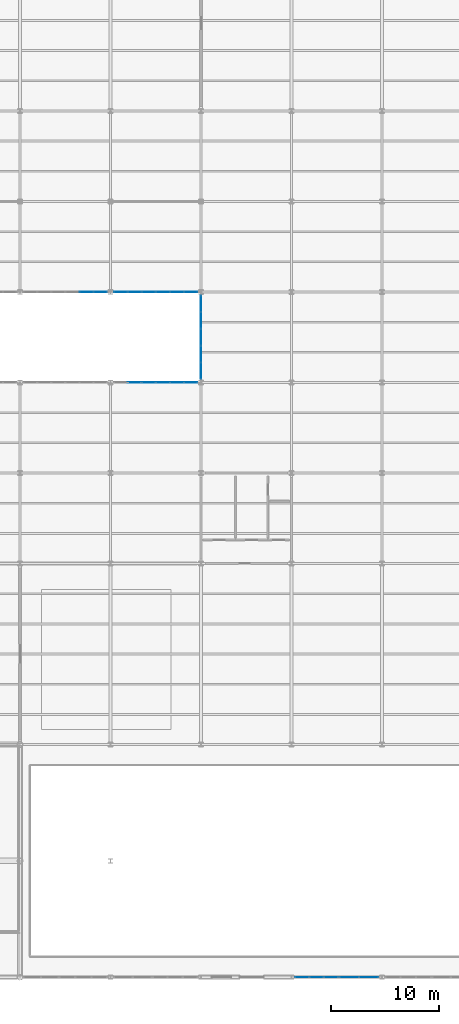
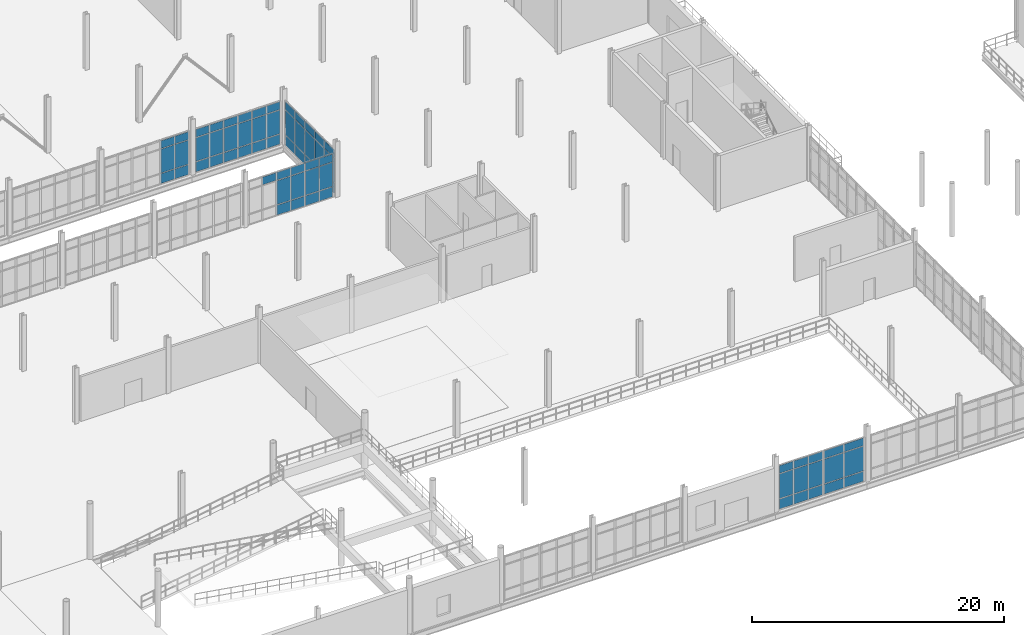
# One storey, part 80 of 111: 67 plates, 6 elements without a shape of their own.
"""IFC4 building model written with IfcOpenShell, lengths in metres."""

from ifc_helpers import new_model, si_unit, direction, frame, origin, origin_2d, place, context, subcontext, project, spatial, rectangle, extrude, material, layer, layer_set, type_object, element, aggregate, save


model = new_model("IFC4")

# Units and contexts
model_context = context("Model", 3, precision=1e-05, world=origin(), true_north=direction((0.0, 1.0)))
body_context = subcontext(model_context, "Body", "Model", "MODEL_VIEW")
ifc_project = project(units=[si_unit("LENGTHUNIT", "METRE"), si_unit("AREAUNIT", "SQUARE_METRE"), si_unit("VOLUMEUNIT", "CUBIC_METRE"), si_unit("PLANEANGLEUNIT", "RADIAN"), si_unit("MASSUNIT", "GRAM", prefix="KILO"), si_unit("THERMODYNAMICTEMPERATUREUNIT", "KELVIN"), si_unit("POWERUNIT", "WATT")], contexts=[model_context])

# Site, building, storey
site_placement = place(None, origin())
site = spatial("IfcSite", under=ifc_project, at=site_placement, CompositionType="ELEMENT")
building_placement = place(site_placement, origin())
building = spatial("IfcBuilding", under=site, at=building_placement, Name="Tembeka Court Mobility Hub", CompositionType="ELEMENT")
storey_placement = place(building_placement, origin())
storey = spatial("IfcBuildingStorey", under=building, at=storey_placement, Name="L00", CompositionType="ELEMENT", Elevation=0.0)

# Curtain wall, plates
ifc_material_1 = material(Name="Anodised aluminium 6063-T6", Category="aluminium")
ifc_layer_1 = layer(ifc_material_1, 0.159912109375)
ifc_layer_set_1 = layer_set([ifc_layer_1], Name="Anodised aluminium 6063-T6")
curtain_wall_type_1 = type_object("IfcCurtainWallType", Name="CW-SYS06", PredefinedType="USERDEFINED", material=ifc_layer_set_1)
curtain_wall_1_placement = place(storey_placement, origin())
curtain_wall_1 = element("IfcCurtainWall", 1, at=curtain_wall_1_placement, inside=storey, type_object=curtain_wall_type_1, Name="Unitised curtain wall CW06 (CW-L00-006)", ObjectType="UNITISED GLAZING", PredefinedType="USERDEFINED")
ifc_material_2 = material(Name="Laminated solar-control low-E glass", Category="glass")
ifc_layer_2 = layer(ifc_material_2, 0.028076171875)
ifc_layer_set_2 = layer_set([ifc_layer_2], Name="Laminated solar-control low-E glass")
plate_type_1 = type_object("IfcPlateType", Name="PL-CW01", PredefinedType="CURTAIN_PANEL", material=ifc_layer_set_2)
plate_1_placement = place(storey_placement, frame((68.17431640625, 0.0, 0.06494140625), z_axis=(0.0, 0.0, 1.0), x_axis=(1.0, 0.0, 0.0)))
plate_1 = element("IfcPlate", 2, at=plate_1_placement, type_object=plate_type_1, Name="CW06 panel 1.1", PredefinedType="CURTAIN_PANEL", context=body_context, shape_type="SweptSolid", body=[
    extrude(rectangle(XDim=1.258544921875, YDim=0.028076171875, at=origin_2d()), origin(), (0.0, 0.0, 1.0), 0.952392578125),
])
plate_2_placement = place(storey_placement, frame((68.17431640625, 0.0, 1.08251953125), z_axis=(0.0, 0.0, 1.0), x_axis=(1.0, 0.0, 0.0)))
plate_2 = element("IfcPlate", 3, at=plate_2_placement, type_object=plate_type_1, Name="CW06 panel 1.2", PredefinedType="CURTAIN_PANEL", context=body_context, shape_type="SweptSolid", body=[
    extrude(rectangle(XDim=1.258544921875, YDim=0.028076171875, at=origin_2d()), origin(), (0.0, 0.0, 1.0), 2.3701171875),
])
plate_3_placement = place(storey_placement, frame((68.17431640625, 0.0, 3.517578125), z_axis=(0.0, 0.0, 1.0), x_axis=(1.0, 0.0, 0.0)))
plate_3 = element("IfcPlate", 4, at=plate_3_placement, type_object=plate_type_1, Name="CW06 panel 1.3", PredefinedType="CURTAIN_PANEL", context=body_context, shape_type="SweptSolid", body=[
    extrude(rectangle(XDim=1.258544921875, YDim=0.028076171875, at=origin_2d()), origin(), (0.0, 0.0, 1.0), 0.75244140625),
])
plate_4_placement = place(storey_placement, frame((69.513916015625, 0.0, 0.06494140625), z_axis=(0.0, 0.0, 1.0), x_axis=(1.0, 0.0, 0.0)))
plate_4 = element("IfcPlate", 5, at=plate_4_placement, type_object=plate_type_1, Name="CW06 panel 2.1", PredefinedType="CURTAIN_PANEL", context=body_context, shape_type="SweptSolid", body=[
    extrude(rectangle(XDim=1.291015625, YDim=0.028076171875, at=origin_2d()), origin(), (0.0, 0.0, 1.0), 0.952392578125),
])
plate_5_placement = place(storey_placement, frame((69.513916015625, 0.0, 1.08251953125), z_axis=(0.0, 0.0, 1.0), x_axis=(1.0, 0.0, 0.0)))
plate_5 = element("IfcPlate", 6, at=plate_5_placement, type_object=plate_type_1, Name="CW06 panel 2.2", PredefinedType="CURTAIN_PANEL", context=body_context, shape_type="SweptSolid", body=[
    extrude(rectangle(XDim=1.291015625, YDim=0.028076171875, at=origin_2d()), origin(), (0.0, 0.0, 1.0), 2.3701171875),
])
plate_6_placement = place(storey_placement, frame((69.513916015625, 0.0, 3.517578125), z_axis=(0.0, 0.0, 1.0), x_axis=(1.0, 0.0, 0.0)))
plate_6 = element("IfcPlate", 7, at=plate_6_placement, type_object=plate_type_1, Name="CW06 panel 2.3", PredefinedType="CURTAIN_PANEL", context=body_context, shape_type="SweptSolid", body=[
    extrude(rectangle(XDim=1.291015625, YDim=0.028076171875, at=origin_2d()), origin(), (0.0, 0.0, 1.0), 0.75244140625),
])
plate_7_placement = place(storey_placement, frame((70.853759765625, 0.0, 0.06494140625), z_axis=(0.0, 0.0, 1.0), x_axis=(1.0, 0.0, 0.0)))
plate_7 = element("IfcPlate", 8, at=plate_7_placement, type_object=plate_type_1, Name="CW06 panel 3.1", PredefinedType="CURTAIN_PANEL", context=body_context, shape_type="SweptSolid", body=[
    extrude(rectangle(XDim=1.258544921875, YDim=0.028076171875, at=origin_2d()), origin(), (0.0, 0.0, 1.0), 0.952392578125),
])
plate_8_placement = place(storey_placement, frame((70.853759765625, 0.0, 1.08251953125), z_axis=(0.0, 0.0, 1.0), x_axis=(1.0, 0.0, 0.0)))
plate_8 = element("IfcPlate", 9, at=plate_8_placement, type_object=plate_type_1, Name="CW06 panel 3.2", PredefinedType="CURTAIN_PANEL", context=body_context, shape_type="SweptSolid", body=[
    extrude(rectangle(XDim=1.258544921875, YDim=0.028076171875, at=origin_2d()), origin(), (0.0, 0.0, 1.0), 2.3701171875),
])
plate_9_placement = place(storey_placement, frame((70.853759765625, 0.0, 3.517578125), z_axis=(0.0, 0.0, 1.0), x_axis=(1.0, 0.0, 0.0)))
plate_9 = element("IfcPlate", 10, at=plate_9_placement, type_object=plate_type_1, Name="CW06 panel 3.3", PredefinedType="CURTAIN_PANEL", context=body_context, shape_type="SweptSolid", body=[
    extrude(rectangle(XDim=1.258544921875, YDim=0.028076171875, at=origin_2d()), origin(), (0.0, 0.0, 1.0), 0.75244140625),
])
aggregate(curtain_wall_1, [plate_1, plate_2, plate_3, plate_4, plate_5, plate_6, plate_7, plate_8, plate_9])

ifc_layer_3 = layer(ifc_material_1, 0.159912109375)
ifc_layer_set_3 = layer_set([ifc_layer_3], Name="Anodised aluminium 6063-T6")
curtain_wall_type_2 = type_object("IfcCurtainWallType", Name="CW-SYS07", PredefinedType="USERDEFINED", material=ifc_layer_set_3)
curtain_wall_2_placement = place(storey_placement, origin())
curtain_wall_2 = element("IfcCurtainWall", 11, at=curtain_wall_2_placement, inside=storey, type_object=curtain_wall_type_2, Name="Unitised curtain wall CW07 (CW-L00-007)", ObjectType="UNITISED GLAZING", PredefinedType="USERDEFINED")
plate_10_placement = place(storey_placement, frame((72.537353515625, 0.0, 0.06494140625), z_axis=(0.0, 0.0, 1.0), x_axis=(1.0, 0.0, 0.0)))
plate_10 = element("IfcPlate", 12, at=plate_10_placement, type_object=plate_type_1, Name="CW07 panel 1.1", PredefinedType="CURTAIN_PANEL", context=body_context, shape_type="SweptSolid", body=[
    extrude(rectangle(XDim=1.7685546875, YDim=0.028076171875, at=origin_2d()), origin(), (0.0, 0.0, 1.0), 0.952392578125),
])
plate_11_placement = place(storey_placement, frame((72.537353515625, 0.0, 1.08251953125), z_axis=(0.0, 0.0, 1.0), x_axis=(1.0, 0.0, 0.0)))
plate_11 = element("IfcPlate", 13, at=plate_11_placement, type_object=plate_type_1, Name="CW07 panel 1.2", PredefinedType="CURTAIN_PANEL", context=body_context, shape_type="SweptSolid", body=[
    extrude(rectangle(XDim=1.7685546875, YDim=0.028076171875, at=origin_2d()), origin(), (0.0, 0.0, 1.0), 2.3701171875),
])
plate_12_placement = place(storey_placement, frame((72.537353515625, 0.0, 3.517578125), z_axis=(0.0, 0.0, 1.0), x_axis=(1.0, 0.0, 0.0)))
plate_12 = element("IfcPlate", 14, at=plate_12_placement, type_object=plate_type_1, Name="CW07 panel 1.3", PredefinedType="CURTAIN_PANEL", context=body_context, shape_type="SweptSolid", body=[
    extrude(rectangle(XDim=1.7685546875, YDim=0.028076171875, at=origin_2d()), origin(), (0.0, 0.0, 1.0), 0.75244140625),
])
plate_13_placement = place(storey_placement, frame((74.370849609375, 0.0, 0.06494140625), z_axis=(0.0, 0.0, 1.0), x_axis=(1.0, 0.0, 0.0)))
plate_13 = element("IfcPlate", 15, at=plate_13_placement, type_object=plate_type_1, Name="CW07 panel 2.1", PredefinedType="CURTAIN_PANEL", context=body_context, shape_type="SweptSolid", body=[
    extrude(rectangle(XDim=1.7685546875, YDim=0.028076171875, at=origin_2d()), origin(), (0.0, 0.0, 1.0), 0.952392578125),
])
plate_14_placement = place(storey_placement, frame((74.370849609375, 0.0, 1.08251953125), z_axis=(0.0, 0.0, 1.0), x_axis=(1.0, 0.0, 0.0)))
plate_14 = element("IfcPlate", 16, at=plate_14_placement, type_object=plate_type_1, Name="CW07 panel 2.2", PredefinedType="CURTAIN_PANEL", context=body_context, shape_type="SweptSolid", body=[
    extrude(rectangle(XDim=1.7685546875, YDim=0.028076171875, at=origin_2d()), origin(), (0.0, 0.0, 1.0), 2.3701171875),
])
plate_15_placement = place(storey_placement, frame((74.370849609375, 0.0, 3.517578125), z_axis=(0.0, 0.0, 1.0), x_axis=(1.0, 0.0, 0.0)))
plate_15 = element("IfcPlate", 17, at=plate_15_placement, type_object=plate_type_1, Name="CW07 panel 2.3", PredefinedType="CURTAIN_PANEL", context=body_context, shape_type="SweptSolid", body=[
    extrude(rectangle(XDim=1.7685546875, YDim=0.028076171875, at=origin_2d()), origin(), (0.0, 0.0, 1.0), 0.75244140625),
])
aggregate(curtain_wall_2, [plate_10, plate_11, plate_12, plate_13, plate_14, plate_15])

ifc_layer_4 = layer(ifc_material_1, 0.159912109375)
ifc_layer_set_4 = layer_set([ifc_layer_4], Name="Anodised aluminium 6063-T6")
curtain_wall_type_3 = type_object("IfcCurtainWallType", Name="CW-SYS22", PredefinedType="USERDEFINED", material=ifc_layer_set_4)
curtain_wall_3_placement = place(storey_placement, origin())
curtain_wall_3 = element("IfcCurtainWall", 18, at=curtain_wall_3_placement, inside=storey, type_object=curtain_wall_type_3, Name="Unitised curtain wall CW22 (CW-L00-041)", ObjectType="UNITISED GLAZING", PredefinedType="USERDEFINED")
plate_16_placement = place(storey_placement, frame((52.639892578125, 55.199951171875, 3.45751953125), z_axis=(0.0, 0.0, 1.0), x_axis=(1.0, 0.0, 0.0)))
plate_16 = element("IfcPlate", 19, at=plate_16_placement, type_object=plate_type_1, Name="CW22 panel 2.3", PredefinedType="CURTAIN_PANEL", context=body_context, shape_type="SweptSolid", body=[
    extrude(rectangle(XDim=1.24169921875, YDim=0.028076171875, at=origin_2d()), origin(), (0.0, 0.0, 1.0), 0.75244140625),
])
plate_17_placement = place(storey_placement, frame((53.94677734375, 55.199951171875, 0.06494140625), z_axis=(0.0, 0.0, 1.0), x_axis=(1.0, 0.0, 0.0)))
plate_17 = element("IfcPlate", 20, at=plate_17_placement, type_object=plate_type_1, Name="CW22 panel 3.1", PredefinedType="CURTAIN_PANEL", context=body_context, shape_type="SweptSolid", body=[
    extrude(rectangle(XDim=1.24169921875, YDim=0.028076171875, at=origin_2d()), origin(), (0.0, 0.0, 1.0), 0.952392578125),
])
plate_18_placement = place(storey_placement, frame((53.94677734375, 55.199951171875, 1.08251953125), z_axis=(0.0, 0.0, 1.0), x_axis=(1.0, 0.0, 0.0)))
plate_18 = element("IfcPlate", 21, at=plate_18_placement, type_object=plate_type_1, Name="CW22 panel 3.2", PredefinedType="CURTAIN_PANEL", context=body_context, shape_type="SweptSolid", body=[
    extrude(rectangle(XDim=1.24169921875, YDim=0.028076171875, at=origin_2d()), origin(), (0.0, 0.0, 1.0), 2.31005859375),
])
plate_19_placement = place(storey_placement, frame((53.94677734375, 55.199951171875, 3.45751953125), z_axis=(0.0, 0.0, 1.0), x_axis=(1.0, 0.0, 0.0)))
plate_19 = element("IfcPlate", 22, at=plate_19_placement, type_object=plate_type_1, Name="CW22 panel 3.3", PredefinedType="CURTAIN_PANEL", context=body_context, shape_type="SweptSolid", body=[
    extrude(rectangle(XDim=1.24169921875, YDim=0.028076171875, at=origin_2d()), origin(), (0.0, 0.0, 1.0), 0.75244140625),
])
plate_20_placement = place(storey_placement, frame((55.25341796875, 55.199951171875, 0.06494140625), z_axis=(0.0, 0.0, 1.0), x_axis=(1.0, 0.0, 0.0)))
plate_20 = element("IfcPlate", 23, at=plate_20_placement, type_object=plate_type_1, Name="CW22 panel 4.1", PredefinedType="CURTAIN_PANEL", context=body_context, shape_type="SweptSolid", body=[
    extrude(rectangle(XDim=1.24169921875, YDim=0.028076171875, at=origin_2d()), origin(), (0.0, 0.0, 1.0), 0.952392578125),
])
plate_21_placement = place(storey_placement, frame((55.25341796875, 55.199951171875, 1.08251953125), z_axis=(0.0, 0.0, 1.0), x_axis=(1.0, 0.0, 0.0)))
plate_21 = element("IfcPlate", 24, at=plate_21_placement, type_object=plate_type_1, Name="CW22 panel 4.2", PredefinedType="CURTAIN_PANEL", context=body_context, shape_type="SweptSolid", body=[
    extrude(rectangle(XDim=1.24169921875, YDim=0.028076171875, at=origin_2d()), origin(), (0.0, 0.0, 1.0), 2.31005859375),
])
plate_22_placement = place(storey_placement, frame((55.25341796875, 55.199951171875, 3.45751953125), z_axis=(0.0, 0.0, 1.0), x_axis=(1.0, 0.0, 0.0)))
plate_22 = element("IfcPlate", 25, at=plate_22_placement, type_object=plate_type_1, Name="CW22 panel 4.3", PredefinedType="CURTAIN_PANEL", context=body_context, shape_type="SweptSolid", body=[
    extrude(rectangle(XDim=1.24169921875, YDim=0.028076171875, at=origin_2d()), origin(), (0.0, 0.0, 1.0), 0.75244140625),
])
plate_23_placement = place(storey_placement, frame((56.56005859375, 55.199951171875, 0.06494140625), z_axis=(0.0, 0.0, 1.0), x_axis=(1.0, 0.0, 0.0)))
plate_23 = element("IfcPlate", 26, at=plate_23_placement, type_object=plate_type_1, Name="CW22 panel 5.1", PredefinedType="CURTAIN_PANEL", context=body_context, shape_type="SweptSolid", body=[
    extrude(rectangle(XDim=1.24169921875, YDim=0.028076171875, at=origin_2d()), origin(), (0.0, 0.0, 1.0), 0.952392578125),
])
plate_24_placement = place(storey_placement, frame((56.56005859375, 55.199951171875, 1.08251953125), z_axis=(0.0, 0.0, 1.0), x_axis=(1.0, 0.0, 0.0)))
plate_24 = element("IfcPlate", 27, at=plate_24_placement, type_object=plate_type_1, Name="CW22 panel 5.2", PredefinedType="CURTAIN_PANEL", context=body_context, shape_type="SweptSolid", body=[
    extrude(rectangle(XDim=1.24169921875, YDim=0.028076171875, at=origin_2d()), origin(), (0.0, 0.0, 1.0), 2.31005859375),
])
plate_25_placement = place(storey_placement, frame((56.56005859375, 55.199951171875, 3.45751953125), z_axis=(0.0, 0.0, 1.0), x_axis=(1.0, 0.0, 0.0)))
plate_25 = element("IfcPlate", 28, at=plate_25_placement, type_object=plate_type_1, Name="CW22 panel 5.3", PredefinedType="CURTAIN_PANEL", context=body_context, shape_type="SweptSolid", body=[
    extrude(rectangle(XDim=1.24169921875, YDim=0.028076171875, at=origin_2d()), origin(), (0.0, 0.0, 1.0), 0.75244140625),
])
plate_26_placement = place(storey_placement, frame((57.850341796875, 55.199951171875, 0.06494140625), z_axis=(0.0, 0.0, 1.0), x_axis=(1.0, 0.0, 0.0)))
plate_26 = element("IfcPlate", 29, at=plate_26_placement, type_object=plate_type_1, Name="CW22 panel 6.1", PredefinedType="CURTAIN_PANEL", context=body_context, shape_type="SweptSolid", body=[
    extrude(rectangle(XDim=1.209228515625, YDim=0.028076171875, at=origin_2d()), origin(), (0.0, 0.0, 1.0), 0.952392578125),
])
plate_27_placement = place(storey_placement, frame((57.850341796875, 55.199951171875, 1.08251953125), z_axis=(0.0, 0.0, 1.0), x_axis=(1.0, 0.0, 0.0)))
plate_27 = element("IfcPlate", 30, at=plate_27_placement, type_object=plate_type_1, Name="CW22 panel 6.2", PredefinedType="CURTAIN_PANEL", context=body_context, shape_type="SweptSolid", body=[
    extrude(rectangle(XDim=1.209228515625, YDim=0.028076171875, at=origin_2d()), origin(), (0.0, 0.0, 1.0), 2.31005859375),
])
plate_28_placement = place(storey_placement, frame((57.850341796875, 55.199951171875, 3.45751953125), z_axis=(0.0, 0.0, 1.0), x_axis=(1.0, 0.0, 0.0)))
plate_28 = element("IfcPlate", 31, at=plate_28_placement, type_object=plate_type_1, Name="CW22 panel 6.3", PredefinedType="CURTAIN_PANEL", context=body_context, shape_type="SweptSolid", body=[
    extrude(rectangle(XDim=1.209228515625, YDim=0.028076171875, at=origin_2d()), origin(), (0.0, 0.0, 1.0), 0.75244140625),
])
aggregate(curtain_wall_3, [plate_16, plate_17, plate_18, plate_19, plate_20, plate_21, plate_22, plate_23, plate_24, plate_25, plate_26, plate_27, plate_28])

ifc_layer_5 = layer(ifc_material_1, 0.159912109375)
ifc_layer_set_5 = layer_set([ifc_layer_5], Name="Anodised aluminium 6063-T6")
curtain_wall_type_4 = type_object("IfcCurtainWallType", Name="CW-SYS23", PredefinedType="USERDEFINED", material=ifc_layer_set_5)
curtain_wall_4_placement = place(storey_placement, origin())
curtain_wall_4 = element("IfcCurtainWall", 32, at=curtain_wall_4_placement, inside=storey, type_object=curtain_wall_type_4, Name="Unitised curtain wall CW23 (CW-L00-042)", ObjectType="UNITISED GLAZING", PredefinedType="USERDEFINED")
plate_29_placement = place(storey_placement, frame((51.349609375, 63.60009765625, 0.06494140625), z_axis=(0.0, 0.0, 1.0), x_axis=(1.0, 0.0, 0.0)))
plate_29 = element("IfcPlate", 33, at=plate_29_placement, type_object=plate_type_1, Name="CW23 panel 1.1", PredefinedType="CURTAIN_PANEL", context=body_context, shape_type="SweptSolid", body=[
    extrude(rectangle(XDim=1.209228515625, YDim=0.028076171875, at=origin_2d()), origin(), (0.0, 0.0, 1.0), 0.952392578125),
])
plate_30_placement = place(storey_placement, frame((51.349609375, 63.60009765625, 1.08251953125), z_axis=(0.0, 0.0, 1.0), x_axis=(1.0, 0.0, 0.0)))
plate_30 = element("IfcPlate", 34, at=plate_30_placement, type_object=plate_type_1, Name="CW23 panel 1.2", PredefinedType="CURTAIN_PANEL", context=body_context, shape_type="SweptSolid", body=[
    extrude(rectangle(XDim=1.209228515625, YDim=0.028076171875, at=origin_2d()), origin(), (0.0, 0.0, 1.0), 2.280029296875),
])
plate_31_placement = place(storey_placement, frame((51.349609375, 63.60009765625, 3.427490234375), z_axis=(0.0, 0.0, 1.0), x_axis=(1.0, 0.0, 0.0)))
plate_31 = element("IfcPlate", 35, at=plate_31_placement, type_object=plate_type_1, Name="CW23 panel 1.3", PredefinedType="CURTAIN_PANEL", context=body_context, shape_type="SweptSolid", body=[
    extrude(rectangle(XDim=1.209228515625, YDim=0.028076171875, at=origin_2d()), origin(), (0.0, 0.0, 1.0), 0.75244140625),
])
plate_32_placement = place(storey_placement, frame((52.639892578125, 63.60009765625, 0.06494140625), z_axis=(0.0, 0.0, 1.0), x_axis=(1.0, 0.0, 0.0)))
plate_32 = element("IfcPlate", 36, at=plate_32_placement, type_object=plate_type_1, Name="CW23 panel 2.1", PredefinedType="CURTAIN_PANEL", context=body_context, shape_type="SweptSolid", body=[
    extrude(rectangle(XDim=1.24169921875, YDim=0.028076171875, at=origin_2d()), origin(), (0.0, 0.0, 1.0), 0.952392578125),
])
plate_33_placement = place(storey_placement, frame((52.639892578125, 63.60009765625, 1.08251953125), z_axis=(0.0, 0.0, 1.0), x_axis=(1.0, 0.0, 0.0)))
plate_33 = element("IfcPlate", 37, at=plate_33_placement, type_object=plate_type_1, Name="CW23 panel 2.2", PredefinedType="CURTAIN_PANEL", context=body_context, shape_type="SweptSolid", body=[
    extrude(rectangle(XDim=1.24169921875, YDim=0.028076171875, at=origin_2d()), origin(), (0.0, 0.0, 1.0), 2.280029296875),
])
plate_34_placement = place(storey_placement, frame((52.639892578125, 63.60009765625, 3.427490234375), z_axis=(0.0, 0.0, 1.0), x_axis=(1.0, 0.0, 0.0)))
plate_34 = element("IfcPlate", 38, at=plate_34_placement, type_object=plate_type_1, Name="CW23 panel 2.3", PredefinedType="CURTAIN_PANEL", context=body_context, shape_type="SweptSolid", body=[
    extrude(rectangle(XDim=1.24169921875, YDim=0.028076171875, at=origin_2d()), origin(), (0.0, 0.0, 1.0), 0.75244140625),
])
plate_35_placement = place(storey_placement, frame((53.94677734375, 63.60009765625, 0.06494140625), z_axis=(0.0, 0.0, 1.0), x_axis=(1.0, 0.0, 0.0)))
plate_35 = element("IfcPlate", 39, at=plate_35_placement, type_object=plate_type_1, Name="CW23 panel 3.1", PredefinedType="CURTAIN_PANEL", context=body_context, shape_type="SweptSolid", body=[
    extrude(rectangle(XDim=1.24169921875, YDim=0.028076171875, at=origin_2d()), origin(), (0.0, 0.0, 1.0), 0.952392578125),
])
plate_36_placement = place(storey_placement, frame((53.94677734375, 63.60009765625, 1.08251953125), z_axis=(0.0, 0.0, 1.0), x_axis=(1.0, 0.0, 0.0)))
plate_36 = element("IfcPlate", 40, at=plate_36_placement, type_object=plate_type_1, Name="CW23 panel 3.2", PredefinedType="CURTAIN_PANEL", context=body_context, shape_type="SweptSolid", body=[
    extrude(rectangle(XDim=1.24169921875, YDim=0.028076171875, at=origin_2d()), origin(), (0.0, 0.0, 1.0), 2.280029296875),
])
plate_37_placement = place(storey_placement, frame((53.94677734375, 63.60009765625, 3.427490234375), z_axis=(0.0, 0.0, 1.0), x_axis=(1.0, 0.0, 0.0)))
plate_37 = element("IfcPlate", 41, at=plate_37_placement, type_object=plate_type_1, Name="CW23 panel 3.3", PredefinedType="CURTAIN_PANEL", context=body_context, shape_type="SweptSolid", body=[
    extrude(rectangle(XDim=1.24169921875, YDim=0.028076171875, at=origin_2d()), origin(), (0.0, 0.0, 1.0), 0.75244140625),
])
plate_38_placement = place(storey_placement, frame((55.25341796875, 63.60009765625, 0.06494140625), z_axis=(0.0, 0.0, 1.0), x_axis=(1.0, 0.0, 0.0)))
plate_38 = element("IfcPlate", 42, at=plate_38_placement, type_object=plate_type_1, Name="CW23 panel 4.1", PredefinedType="CURTAIN_PANEL", context=body_context, shape_type="SweptSolid", body=[
    extrude(rectangle(XDim=1.24169921875, YDim=0.028076171875, at=origin_2d()), origin(), (0.0, 0.0, 1.0), 0.952392578125),
])
plate_39_placement = place(storey_placement, frame((55.25341796875, 63.60009765625, 1.08251953125), z_axis=(0.0, 0.0, 1.0), x_axis=(1.0, 0.0, 0.0)))
plate_39 = element("IfcPlate", 43, at=plate_39_placement, type_object=plate_type_1, Name="CW23 panel 4.2", PredefinedType="CURTAIN_PANEL", context=body_context, shape_type="SweptSolid", body=[
    extrude(rectangle(XDim=1.24169921875, YDim=0.028076171875, at=origin_2d()), origin(), (0.0, 0.0, 1.0), 2.280029296875),
])
plate_40_placement = place(storey_placement, frame((55.25341796875, 63.60009765625, 3.427490234375), z_axis=(0.0, 0.0, 1.0), x_axis=(1.0, 0.0, 0.0)))
plate_40 = element("IfcPlate", 44, at=plate_40_placement, type_object=plate_type_1, Name="CW23 panel 4.3", PredefinedType="CURTAIN_PANEL", context=body_context, shape_type="SweptSolid", body=[
    extrude(rectangle(XDim=1.24169921875, YDim=0.028076171875, at=origin_2d()), origin(), (0.0, 0.0, 1.0), 0.75244140625),
])
plate_41_placement = place(storey_placement, frame((56.56005859375, 63.60009765625, 0.06494140625), z_axis=(0.0, 0.0, 1.0), x_axis=(1.0, 0.0, 0.0)))
plate_41 = element("IfcPlate", 45, at=plate_41_placement, type_object=plate_type_1, Name="CW23 panel 5.1", PredefinedType="CURTAIN_PANEL", context=body_context, shape_type="SweptSolid", body=[
    extrude(rectangle(XDim=1.24169921875, YDim=0.028076171875, at=origin_2d()), origin(), (0.0, 0.0, 1.0), 0.952392578125),
])
plate_42_placement = place(storey_placement, frame((56.56005859375, 63.60009765625, 1.08251953125), z_axis=(0.0, 0.0, 1.0), x_axis=(1.0, 0.0, 0.0)))
plate_42 = element("IfcPlate", 46, at=plate_42_placement, type_object=plate_type_1, Name="CW23 panel 5.2", PredefinedType="CURTAIN_PANEL", context=body_context, shape_type="SweptSolid", body=[
    extrude(rectangle(XDim=1.24169921875, YDim=0.028076171875, at=origin_2d()), origin(), (0.0, 0.0, 1.0), 2.280029296875),
])
plate_43_placement = place(storey_placement, frame((56.56005859375, 63.60009765625, 3.427490234375), z_axis=(0.0, 0.0, 1.0), x_axis=(1.0, 0.0, 0.0)))
plate_43 = element("IfcPlate", 47, at=plate_43_placement, type_object=plate_type_1, Name="CW23 panel 5.3", PredefinedType="CURTAIN_PANEL", context=body_context, shape_type="SweptSolid", body=[
    extrude(rectangle(XDim=1.24169921875, YDim=0.028076171875, at=origin_2d()), origin(), (0.0, 0.0, 1.0), 0.75244140625),
])
plate_44_placement = place(storey_placement, frame((57.850341796875, 63.60009765625, 0.06494140625), z_axis=(0.0, 0.0, 1.0), x_axis=(1.0, 0.0, 0.0)))
plate_44 = element("IfcPlate", 48, at=plate_44_placement, type_object=plate_type_1, Name="CW23 panel 6.1", PredefinedType="CURTAIN_PANEL", context=body_context, shape_type="SweptSolid", body=[
    extrude(rectangle(XDim=1.209228515625, YDim=0.028076171875, at=origin_2d()), origin(), (0.0, 0.0, 1.0), 0.952392578125),
])
plate_45_placement = place(storey_placement, frame((57.850341796875, 63.60009765625, 1.08251953125), z_axis=(0.0, 0.0, 1.0), x_axis=(1.0, 0.0, 0.0)))
plate_45 = element("IfcPlate", 49, at=plate_45_placement, type_object=plate_type_1, Name="CW23 panel 6.2", PredefinedType="CURTAIN_PANEL", context=body_context, shape_type="SweptSolid", body=[
    extrude(rectangle(XDim=1.209228515625, YDim=0.028076171875, at=origin_2d()), origin(), (0.0, 0.0, 1.0), 2.280029296875),
])
plate_46_placement = place(storey_placement, frame((57.850341796875, 63.60009765625, 3.427490234375), z_axis=(0.0, 0.0, 1.0), x_axis=(1.0, 0.0, 0.0)))
plate_46 = element("IfcPlate", 50, at=plate_46_placement, type_object=plate_type_1, Name="CW23 panel 6.3", PredefinedType="CURTAIN_PANEL", context=body_context, shape_type="SweptSolid", body=[
    extrude(rectangle(XDim=1.209228515625, YDim=0.028076171875, at=origin_2d()), origin(), (0.0, 0.0, 1.0), 0.75244140625),
])
aggregate(curtain_wall_4, [plate_29, plate_30, plate_31, plate_32, plate_33, plate_34, plate_35, plate_36, plate_37, plate_38, plate_39, plate_40, plate_41, plate_42, plate_43, plate_44, plate_45, plate_46])

curtain_wall_5_placement = place(storey_placement, origin())
curtain_wall_5 = element("IfcCurtainWall", 51, at=curtain_wall_5_placement, inside=storey, type_object=curtain_wall_type_3, Name="Unitised curtain wall CW22 (CW-L00-040)", ObjectType="UNITISED GLAZING", PredefinedType="USERDEFINED")
ifc_material_3 = material(Name="Insulated aluminium spandrel panel", Category="aluminium")
ifc_layer_6 = layer(ifc_material_3, 0.052001953125)
ifc_layer_set_6 = layer_set([ifc_layer_6], Name="Insulated aluminium spandrel panel")
plate_type_2 = type_object("IfcPlateType", Name="PL-CW02", PredefinedType="CURTAIN_PANEL", material=ifc_layer_set_6)
plate_47_placement = place(storey_placement, frame((48.159912109375, 63.60009765625, 0.06494140625), z_axis=(0.0, 0.0, 1.0), x_axis=(1.0, 0.0, 0.0)))
plate_47 = element("IfcPlate", 52, at=plate_47_placement, type_object=plate_type_2, Name="CW22 panel 5.1", PredefinedType="CURTAIN_PANEL", context=body_context, shape_type="SweptSolid", body=[
    extrude(rectangle(XDim=1.24169921875, YDim=0.052001953125, at=origin_2d()), origin(), (0.0, 0.0, 1.0), 0.952392578125),
])
plate_48_placement = place(storey_placement, frame((48.159912109375, 63.60009765625, 1.08251953125), z_axis=(0.0, 0.0, 1.0), x_axis=(1.0, 0.0, 0.0)))
plate_48 = element("IfcPlate", 53, at=plate_48_placement, type_object=plate_type_2, Name="CW22 panel 5.2", PredefinedType="CURTAIN_PANEL", context=body_context, shape_type="SweptSolid", body=[
    extrude(rectangle(XDim=1.24169921875, YDim=0.052001953125, at=origin_2d()), origin(), (0.0, 0.0, 1.0), 2.31005859375),
])
plate_49_placement = place(storey_placement, frame((48.159912109375, 63.60009765625, 3.45751953125), z_axis=(0.0, 0.0, 1.0), x_axis=(1.0, 0.0, 0.0)))
plate_49 = element("IfcPlate", 54, at=plate_49_placement, type_object=plate_type_2, Name="CW22 panel 5.3", PredefinedType="CURTAIN_PANEL", context=body_context, shape_type="SweptSolid", body=[
    extrude(rectangle(XDim=1.24169921875, YDim=0.052001953125, at=origin_2d()), origin(), (0.0, 0.0, 1.0), 0.75244140625),
])
plate_50_placement = place(storey_placement, frame((49.450439453125, 63.60009765625, 0.06494140625), z_axis=(0.0, 0.0, 1.0), x_axis=(1.0, 0.0, 0.0)))
plate_50 = element("IfcPlate", 55, at=plate_50_placement, type_object=plate_type_2, Name="CW22 panel 6.1", PredefinedType="CURTAIN_PANEL", context=body_context, shape_type="SweptSolid", body=[
    extrude(rectangle(XDim=1.209228515625, YDim=0.052001953125, at=origin_2d()), origin(), (0.0, 0.0, 1.0), 0.952392578125),
])
plate_51_placement = place(storey_placement, frame((49.450439453125, 63.60009765625, 1.08251953125), z_axis=(0.0, 0.0, 1.0), x_axis=(1.0, 0.0, 0.0)))
plate_51 = element("IfcPlate", 56, at=plate_51_placement, type_object=plate_type_2, Name="CW22 panel 6.2", PredefinedType="CURTAIN_PANEL", context=body_context, shape_type="SweptSolid", body=[
    extrude(rectangle(XDim=1.209228515625, YDim=0.052001953125, at=origin_2d()), origin(), (0.0, 0.0, 1.0), 2.31005859375),
])
plate_52_placement = place(storey_placement, frame((49.450439453125, 63.60009765625, 3.45751953125), z_axis=(0.0, 0.0, 1.0), x_axis=(1.0, 0.0, 0.0)))
plate_52 = element("IfcPlate", 57, at=plate_52_placement, type_object=plate_type_2, Name="CW22 panel 6.3", PredefinedType="CURTAIN_PANEL", context=body_context, shape_type="SweptSolid", body=[
    extrude(rectangle(XDim=1.209228515625, YDim=0.052001953125, at=origin_2d()), origin(), (0.0, 0.0, 1.0), 0.75244140625),
])
aggregate(curtain_wall_5, [plate_47, plate_48, plate_49, plate_50, plate_51, plate_52])

ifc_layer_7 = layer(ifc_material_1, 0.159912109375)
ifc_layer_set_7 = layer_set([ifc_layer_7], Name="Anodised aluminium 6063-T6")
curtain_wall_type_5 = type_object("IfcCurtainWallType", Name="CW-SYS01", PredefinedType="USERDEFINED", material=ifc_layer_set_7)
curtain_wall_6_placement = place(storey_placement, origin())
curtain_wall_6 = element("IfcCurtainWall", 58, at=curtain_wall_6_placement, inside=storey, type_object=curtain_wall_type_5, Name="Unitised curtain wall CW01 (CW-L00-044)", ObjectType="UNITISED GLAZING", PredefinedType="USERDEFINED")
plate_53_placement = place(storey_placement, frame((58.800048828125, 56.2802734375, 0.06494140625), z_axis=(0.0, 0.0, 1.0), x_axis=(0.0, 1.0, 0.0)))
plate_53 = element("IfcPlate", 59, at=plate_53_placement, type_object=plate_type_2, Name="CW01 panel 1.1", PredefinedType="CURTAIN_PANEL", context=body_context, shape_type="SweptSolid", body=[
    extrude(rectangle(XDim=1.470458984375, YDim=0.052001953125, at=origin_2d()), origin(), (0.0, 0.0, 1.0), 0.952392578125),
])
plate_54_placement = place(storey_placement, frame((58.800048828125, 56.2802734375, 1.08251953125), z_axis=(0.0, 0.0, 1.0), x_axis=(0.0, 1.0, 0.0)))
plate_54 = element("IfcPlate", 60, at=plate_54_placement, type_object=plate_type_2, Name="CW01 panel 1.2", PredefinedType="CURTAIN_PANEL", context=body_context, shape_type="SweptSolid", body=[
    extrude(rectangle(XDim=1.470458984375, YDim=0.052001953125, at=origin_2d()), origin(), (0.0, 0.0, 1.0), 2.3701171875),
])
plate_55_placement = place(storey_placement, frame((58.800048828125, 56.2802734375, 3.517578125), z_axis=(0.0, 0.0, 1.0), x_axis=(0.0, 1.0, 0.0)))
plate_55 = element("IfcPlate", 61, at=plate_55_placement, type_object=plate_type_2, Name="CW01 panel 1.3", PredefinedType="CURTAIN_PANEL", context=body_context, shape_type="SweptSolid", body=[
    extrude(rectangle(XDim=1.470458984375, YDim=0.052001953125, at=origin_2d()), origin(), (0.0, 0.0, 1.0), 0.75244140625),
])
plate_56_placement = place(storey_placement, frame((58.800048828125, 57.83203125, 0.06494140625), z_axis=(0.0, 0.0, 1.0), x_axis=(0.0, 1.0, 0.0)))
plate_56 = element("IfcPlate", 62, at=plate_56_placement, type_object=plate_type_2, Name="CW01 panel 2.1", PredefinedType="CURTAIN_PANEL", context=body_context, shape_type="SweptSolid", body=[
    extrude(rectangle(XDim=1.5029296875, YDim=0.052001953125, at=origin_2d()), origin(), (0.0, 0.0, 1.0), 0.952392578125),
])
plate_57_placement = place(storey_placement, frame((58.800048828125, 57.83203125, 1.08251953125), z_axis=(0.0, 0.0, 1.0), x_axis=(0.0, 1.0, 0.0)))
plate_57 = element("IfcPlate", 63, at=plate_57_placement, type_object=plate_type_2, Name="CW01 panel 2.2", PredefinedType="CURTAIN_PANEL", context=body_context, shape_type="SweptSolid", body=[
    extrude(rectangle(XDim=1.5029296875, YDim=0.052001953125, at=origin_2d()), origin(), (0.0, 0.0, 1.0), 2.3701171875),
])
plate_58_placement = place(storey_placement, frame((58.800048828125, 57.83203125, 3.517578125), z_axis=(0.0, 0.0, 1.0), x_axis=(0.0, 1.0, 0.0)))
plate_58 = element("IfcPlate", 64, at=plate_58_placement, type_object=plate_type_2, Name="CW01 panel 2.3", PredefinedType="CURTAIN_PANEL", context=body_context, shape_type="SweptSolid", body=[
    extrude(rectangle(XDim=1.5029296875, YDim=0.052001953125, at=origin_2d()), origin(), (0.0, 0.0, 1.0), 0.75244140625),
])
plate_59_placement = place(storey_placement, frame((58.800048828125, 59.39990234375, 0.06494140625), z_axis=(0.0, 0.0, 1.0), x_axis=(0.0, 1.0, 0.0)))
plate_59 = element("IfcPlate", 65, at=plate_59_placement, type_object=plate_type_2, Name="CW01 panel 3.1", PredefinedType="CURTAIN_PANEL", context=body_context, shape_type="SweptSolid", body=[
    extrude(rectangle(XDim=1.5029296875, YDim=0.052001953125, at=origin_2d()), origin(), (0.0, 0.0, 1.0), 0.952392578125),
])
plate_60_placement = place(storey_placement, frame((58.800048828125, 59.39990234375, 1.08251953125), z_axis=(0.0, 0.0, 1.0), x_axis=(0.0, 1.0, 0.0)))
plate_60 = element("IfcPlate", 66, at=plate_60_placement, type_object=plate_type_2, Name="CW01 panel 3.2", PredefinedType="CURTAIN_PANEL", context=body_context, shape_type="SweptSolid", body=[
    extrude(rectangle(XDim=1.5029296875, YDim=0.052001953125, at=origin_2d()), origin(), (0.0, 0.0, 1.0), 2.3701171875),
])
plate_61_placement = place(storey_placement, frame((58.800048828125, 59.39990234375, 3.517578125), z_axis=(0.0, 0.0, 1.0), x_axis=(0.0, 1.0, 0.0)))
plate_61 = element("IfcPlate", 67, at=plate_61_placement, type_object=plate_type_2, Name="CW01 panel 3.3", PredefinedType="CURTAIN_PANEL", context=body_context, shape_type="SweptSolid", body=[
    extrude(rectangle(XDim=1.5029296875, YDim=0.052001953125, at=origin_2d()), origin(), (0.0, 0.0, 1.0), 0.75244140625),
])
plate_62_placement = place(storey_placement, frame((58.800048828125, 60.968017578125, 0.06494140625), z_axis=(0.0, 0.0, 1.0), x_axis=(0.0, 1.0, 0.0)))
plate_62 = element("IfcPlate", 68, at=plate_62_placement, type_object=plate_type_2, Name="CW01 panel 4.1", PredefinedType="CURTAIN_PANEL", context=body_context, shape_type="SweptSolid", body=[
    extrude(rectangle(XDim=1.5029296875, YDim=0.052001953125, at=origin_2d()), origin(), (0.0, 0.0, 1.0), 0.952392578125),
])
plate_63_placement = place(storey_placement, frame((58.800048828125, 60.968017578125, 1.08251953125), z_axis=(0.0, 0.0, 1.0), x_axis=(0.0, 1.0, 0.0)))
plate_63 = element("IfcPlate", 69, at=plate_63_placement, type_object=plate_type_2, Name="CW01 panel 4.2", PredefinedType="CURTAIN_PANEL", context=body_context, shape_type="SweptSolid", body=[
    extrude(rectangle(XDim=1.5029296875, YDim=0.052001953125, at=origin_2d()), origin(), (0.0, 0.0, 1.0), 2.3701171875),
])
plate_64_placement = place(storey_placement, frame((58.800048828125, 60.968017578125, 3.517578125), z_axis=(0.0, 0.0, 1.0), x_axis=(0.0, 1.0, 0.0)))
plate_64 = element("IfcPlate", 70, at=plate_64_placement, type_object=plate_type_2, Name="CW01 panel 4.3", PredefinedType="CURTAIN_PANEL", context=body_context, shape_type="SweptSolid", body=[
    extrude(rectangle(XDim=1.5029296875, YDim=0.052001953125, at=origin_2d()), origin(), (0.0, 0.0, 1.0), 0.75244140625),
])
plate_65_placement = place(storey_placement, frame((58.800048828125, 62.519775390625, 0.06494140625), z_axis=(0.0, 0.0, 1.0), x_axis=(0.0, 1.0, 0.0)))
plate_65 = element("IfcPlate", 71, at=plate_65_placement, type_object=plate_type_2, Name="CW01 panel 5.1", PredefinedType="CURTAIN_PANEL", context=body_context, shape_type="SweptSolid", body=[
    extrude(rectangle(XDim=1.470458984375, YDim=0.052001953125, at=origin_2d()), origin(), (0.0, 0.0, 1.0), 0.952392578125),
])
plate_66_placement = place(storey_placement, frame((58.800048828125, 62.519775390625, 1.08251953125), z_axis=(0.0, 0.0, 1.0), x_axis=(0.0, 1.0, 0.0)))
plate_66 = element("IfcPlate", 72, at=plate_66_placement, type_object=plate_type_2, Name="CW01 panel 5.2", PredefinedType="CURTAIN_PANEL", context=body_context, shape_type="SweptSolid", body=[
    extrude(rectangle(XDim=1.470458984375, YDim=0.052001953125, at=origin_2d()), origin(), (0.0, 0.0, 1.0), 2.3701171875),
])
plate_67_placement = place(storey_placement, frame((58.800048828125, 62.519775390625, 3.517578125), z_axis=(0.0, 0.0, 1.0), x_axis=(0.0, 1.0, 0.0)))
plate_67 = element("IfcPlate", 73, at=plate_67_placement, type_object=plate_type_2, Name="CW01 panel 5.3", PredefinedType="CURTAIN_PANEL", context=body_context, shape_type="SweptSolid", body=[
    extrude(rectangle(XDim=1.470458984375, YDim=0.052001953125, at=origin_2d()), origin(), (0.0, 0.0, 1.0), 0.75244140625),
])
aggregate(curtain_wall_6, [plate_53, plate_54, plate_55, plate_56, plate_57, plate_58, plate_59, plate_60, plate_61, plate_62, plate_63, plate_64, plate_65, plate_66, plate_67])

save(model, "model.ifc")
